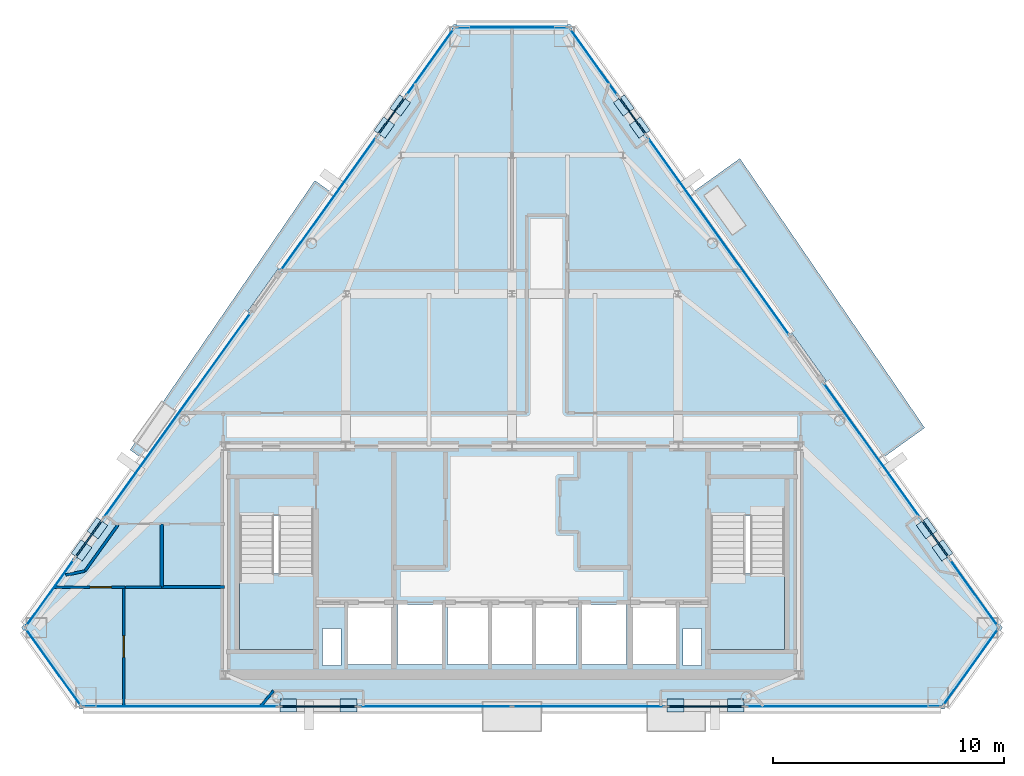
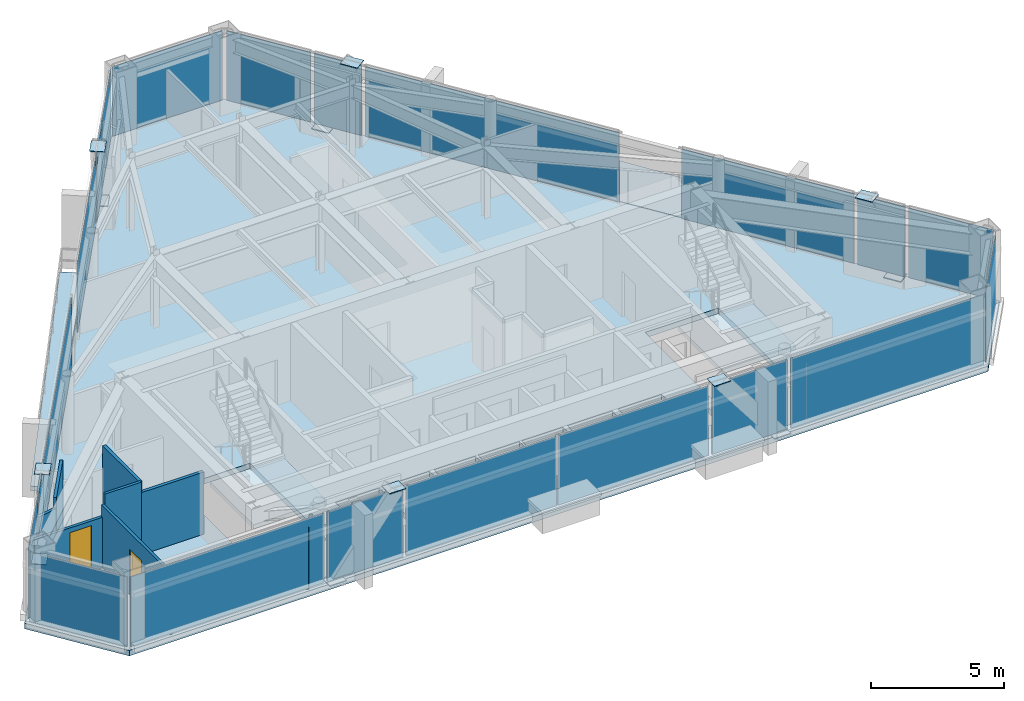
# One storey, part 7 of 12: 33 plates, 8 walls, 5 slabs, 2 doors, 2 openings, 22 elements without a shape of their own.
"""IFC4 building model written with IfcOpenShell, lengths in metres."""

from ifc_helpers import new_model, si_unit, direction, frame, frame_2d, origin, origin_2d, place, context, subcontext, project, spatial, polyline, rectangle, outline, extrude, source, transform, mapped, material, layer, layer_set, type_object, type_shapes, element, fill, aggregate, save


model = new_model("IFC4")

# Units and contexts
model_context = context("Model", 3, precision=1e-05, world=origin(), true_north=direction((0.0, 1.0)))
body_context = subcontext(model_context, "Body", "Model", "MODEL_VIEW")
ifc_project = project(units=[si_unit("LENGTHUNIT", "METRE"), si_unit("AREAUNIT", "SQUARE_METRE"), si_unit("VOLUMEUNIT", "CUBIC_METRE"), si_unit("PLANEANGLEUNIT", "RADIAN"), si_unit("MASSUNIT", "GRAM", prefix="KILO")], contexts=[model_context])

# Site, building, storey
site_placement = place(None, origin())
site = spatial("IfcSite", under=ifc_project, at=site_placement, CompositionType="ELEMENT")
building_placement = place(site_placement, origin())
building = spatial("IfcBuilding", under=site, at=building_placement, Name="Talgorran Terracotta Tower", CompositionType="ELEMENT")
storey_placement = place(building_placement, frame((0.0, 0.0, 252.60009765625)))
storey = spatial("IfcBuildingStorey", under=building, at=storey_placement, Name="L66", CompositionType="ELEMENT", Elevation=252.60009765625)

# Plates
ifc_material_1 = material(Name="Steel Grade 350 (350L0)", Category="steel")
ifc_layer_1 = layer(ifc_material_1, 0.031982421875, Name="PL_CAP_MN07")
ifc_layer_set_1 = layer_set([ifc_layer_1], Name="Steel Grade 350 (350L0)")
plate_type_1 = type_object("IfcPlateType", Name="PL_CAP_MN07", PredefinedType="USERDEFINED", material=ifc_layer_set_1)
for number, where, z_axis, x_axis, name in (
    (1, (-9.680908203125, -15.42333984375, -0.005859375), (0.0, 0.0, 1.0), (1.0, 0.0, 0.0), "L66 Diagonal Frame End Cap SWF Bot"),
    (2, (-7.074462890625, -15.42333984375, 3.31884765625), (0.0, 0.0, 1.0), (1.0, 0.0, 0.0), "L66 Diagonal Frame End Cap SWF Top"),
    (3, (9.680908203125, -15.42333984375, -0.005859375), (0.0, 0.0, 1.0), (-1.0, 0.0, 0.0), "L66 Diagonal Frame End Cap SEF Bot"),
    (4, (7.074462890625, -15.42333984375, 3.31884765625), (0.0, 0.0, 1.0), (-1.0, 0.0, 0.0), "L66 Diagonal Frame End Cap SEF Top"),
    (5, (18.630615234375, -8.708740234375, -0.005859375), (0.0, 0.0, 1.0), (-0.582264874145, 0.812999149039, 0.0), "L66 Diagonal Frame End Cap NEL Bot"),
    (6, (17.94287109375, -7.748291015625, 3.31884765625), (0.0, 0.0, 1.0), (-0.582264874145, 0.812999149039, 0.0), "L66 Diagonal Frame End Cap NEL Top"),
    (7, (4.840576171875, 10.548583984375, -0.005859375), (0.0, 0.0, 1.0), (0.582264874145, -0.812999149039, 0.0), "L66 Diagonal Frame End Cap NEU Bot"),
    (8, (5.5283203125, 9.58837890625, 3.31884765625), (0.0, 0.0, 1.0), (0.582264874145, -0.812999149039, 0.0), "L66 Diagonal Frame End Cap NEU Top"),
    (9, (-4.840576171875, 10.548583984375, -0.005859375), (0.0, 0.0, 1.0), (-0.582264874145, -0.812999149039, 0.0), "L66 Diagonal Frame End Cap NWU Bot"),
    (10, (-5.5283203125, 9.58837890625, 3.31884765625), (0.0, 0.0, 1.0), (-0.582264874145, -0.812999149039, 0.0), "L66 Diagonal Frame End Cap NWU Top"),
    (11, (-18.630615234375, -8.708740234375, -0.005859375), (0.0, 0.0, 1.0), (0.582264874145, 0.812999149039, 0.0), "L66 Diagonal Frame End Cap NWL Bot"),
    (12, (-17.94287109375, -7.748291015625, 3.31884765625), (0.0, 0.0, 1.0), (0.582264874145, 0.812999149039, 0.0), "L66 Diagonal Frame End Cap NWL Top"),
):
    element("IfcPlate", number, at=place(storey_placement, frame(where, z_axis=z_axis, x_axis=x_axis)), inside=storey, type_object=plate_type_1, Name=name, ObjectType="CAP PLATE", PredefinedType="USERDEFINED", context=body_context, shape_type="SweptSolid", body=[
        extrude(rectangle(XDim=0.719970703125, YDim=0.580078125, at=origin_2d()), origin(), (0.0, 0.0, 1.0), 0.031982421875),
    ])

# Slabs
ifc_material_2 = material(Name="Concrete C40/50", Category="concrete")
ifc_layer_2 = layer(ifc_material_2, 0.219970703125, Name="SL_BALCONY_220")
ifc_layer_set_2 = layer_set([ifc_layer_2], Name="Concrete C40/50")
slab_type_1 = type_object("IfcSlabType", Name="SL_BALCONY_220", PredefinedType="FLOOR", material=ifc_layer_set_2)
slab_1_placement = place(storey_placement, frame((0.0, 0.0, -0.22021484375)))
element("IfcSlab", 13, at=slab_1_placement, inside=storey, type_object=slab_type_1, Name="L66 Outdoor Wave Balcony BAL-NE", PredefinedType="FLOOR", context=body_context, shape_type="SweptSolid", body=[
    extrude(outline(polyline([(7.773193359375, 6.753662109375), (16.001220703125, -4.736083984375), (17.860595703125, -3.404541015625), (9.863037109375, 8.25), (7.773193359375, 6.753662109375)])), origin(), (0.0, 0.0, 1.0), 0.22021484375),
])
slab_2_placement = place(storey_placement, frame((0.0, 0.0, -0.22021484375)))
element("IfcSlab", 14, at=slab_2_placement, inside=storey, type_object=slab_type_1, Name="L66 Outdoor Wave Balcony BAL-NW", PredefinedType="FLOOR", context=body_context, shape_type="SweptSolid", body=[
    extrude(outline(polyline([(-16.001220703125, -4.736083984375), (-7.773193359375, 6.753662109375), (-8.53173828125, 7.296630859375), (-16.529296875, -4.35791015625), (-16.001220703125, -4.736083984375)])), origin(), (0.0, 0.0, 1.0), 0.22021484375),
])

# Stair, slab
stair_type = type_object("IfcStairType", Name="ST_FIRE_SCISSOR", PredefinedType="HALF_TURN_STAIR", material=ifc_material_2)
stair_1_placement = place(storey_placement, origin())
stair_1 = element("IfcStair", 15, at=stair_1_placement, inside=storey, type_object=stair_type, Name="L66 West Protected Fire Stair ST-01", PredefinedType="HALF_TURN_STAIR")
ifc_layer_3 = layer(ifc_material_2, 0.199951171875, Name="SL_LANDING_200")
ifc_layer_set_3 = layer_set([ifc_layer_3], Name="Concrete C40/50")
slab_type_2 = type_object("IfcSlabType", Name="SL_LANDING_200", PredefinedType="LANDING", material=ifc_layer_set_3)
slab_3_placement = place(storey_placement, frame((0.0, 0.0, 1.599853515625)))
slab_3 = element("IfcSlab", 16, at=slab_3_placement, type_object=slab_type_2, Name="ST-01 landing 1", PredefinedType="LANDING", context=body_context, shape_type="SweptSolid", body=[
    extrude(outline(polyline([(-11.800048828125, -9.719970703125), (-11.800048828125, -13.0), (-8.60009765625, -13.0), (-8.60009765625, -9.719970703125), (-11.800048828125, -9.719970703125)])), origin(), (0.0, 0.0, 1.0), 0.199951171875),
])
aggregate(stair_1, [slab_3])

stair_2_placement = place(storey_placement, origin())
stair_2 = element("IfcStair", 17, at=stair_2_placement, inside=storey, type_object=stair_type, Name="L66 East Protected Fire Stair ST-02", PredefinedType="HALF_TURN_STAIR")
slab_4_placement = place(storey_placement, frame((0.0, 0.0, 1.599853515625)))
slab_4 = element("IfcSlab", 18, at=slab_4_placement, type_object=slab_type_2, Name="ST-02 landing 1", PredefinedType="LANDING", context=body_context, shape_type="SweptSolid", body=[
    extrude(outline(polyline([(8.60009765625, -9.719970703125), (8.60009765625, -13.0), (11.800048828125, -13.0), (11.800048828125, -9.719970703125), (8.60009765625, -9.719970703125)])), origin(), (0.0, 0.0, 1.0), 0.199951171875),
])
aggregate(stair_2, [slab_4])

# Slab
ifc_layer_4 = layer(ifc_material_2, 0.2548828125, Name="SL_TOWER_235")
ifc_layer_set_4 = layer_set([ifc_layer_4], Name="Concrete C40/50")
slab_type_3 = type_object("IfcSlabType", Name="SL_TOWER_235", PredefinedType="FLOOR", material=ifc_layer_set_4)
slab_5_placement = place(storey_placement, frame((0.0, 0.0, -0.255126953125)))
element("IfcSlab", 19, at=slab_5_placement, inside=storey, type_object=slab_type_3, Name="Storey L66 Structural Floor Slab", PredefinedType="FLOOR", context=body_context, shape_type="SweptSolid", body=[
    extrude(outline(polyline([(-21.224609375, -12.056640625), (-18.69921875, -15.583251953125), (18.69921875, -15.583251953125), (21.224609375, -12.056640625), (2.525390625, 14.056640625), (-2.525390625, 14.056640625), (-21.224609375, -12.056640625)]), holes=[polyline([(-11.800048828125, -7.199951171875), (-11.800048828125, -13.0), (-8.60009765625, -13.0), (-8.60009765625, -7.199951171875), (-11.800048828125, -7.199951171875)]), polyline([(8.60009765625, -7.199951171875), (8.60009765625, -13.0), (11.800048828125, -13.0), (11.800048828125, -7.199951171875), (8.60009765625, -7.199951171875)]), polyline([(-7.10009765625, -13.64990234375), (-5.199951171875, -13.64990234375), (-5.199951171875, -11.050048828125), (-7.10009765625, -11.050048828125), (-7.10009765625, -13.64990234375)]), polyline([(5.199951171875, -13.64990234375), (7.10009765625, -13.64990234375), (7.10009765625, -11.050048828125), (5.199951171875, -11.050048828125), (5.199951171875, -13.64990234375)]), polyline([(3.0, -13.64990234375), (4.949951171875, -13.64990234375), (4.949951171875, -11.050048828125), (3.0, -11.050048828125), (3.0, -13.64990234375)]), polyline([(-4.949951171875, -13.64990234375), (-3.0, -13.64990234375), (-3.0, -11.050048828125), (-4.949951171875, -11.050048828125), (-4.949951171875, -13.64990234375)]), polyline([(-2.800048828125, -13.64990234375), (-1.0, -13.64990234375), (-1.0, -11.050048828125), (-2.800048828125, -11.050048828125), (-2.800048828125, -13.64990234375)]), polyline([(-0.89990234375, -13.64990234375), (0.89990234375, -13.64990234375), (0.89990234375, -11.050048828125), (-0.89990234375, -11.050048828125), (-0.89990234375, -13.64990234375)]), polyline([(1.0, -13.64990234375), (2.800048828125, -13.64990234375), (2.800048828125, -11.050048828125), (1.0, -11.050048828125), (1.0, -13.64990234375)]), polyline([(-8.199951171875, -13.699951171875), (-7.39990234375, -13.699951171875), (-7.39990234375, -12.10009765625), (-8.199951171875, -12.10009765625), (-8.199951171875, -13.699951171875)]), polyline([(7.39990234375, -13.699951171875), (8.199951171875, -13.699951171875), (8.199951171875, -12.10009765625), (7.39990234375, -12.10009765625), (7.39990234375, -13.699951171875)])]), origin(), (0.0, 0.0, 1.0), 0.255126953125),
])

# Curtain wall, plate
ifc_material_3 = material(Name="High-Wind Unitised Glazing", Category="glass")
ifc_layer_5 = layer(ifc_material_3, 0.2099609375, Name="CW_SYS3_RES_HIGH")
ifc_layer_set_5 = layer_set([ifc_layer_5], Name="High-Wind Unitised Glazing")
curtain_wall_type = type_object("IfcCurtainWallType", Name="CW_SYS3_RES_HIGH", PredefinedType="NOTDEFINED", material=ifc_layer_set_5)
curtain_wall_1_placement = place(storey_placement, origin())
curtain_wall_1 = element("IfcCurtainWall", 20, at=curtain_wall_1_placement, inside=storey, type_object=curtain_wall_type, Name="CW-L66-F0", PredefinedType="NOTDEFINED")
ifc_material_4 = material(Name="High-Wind Acoustic Vision Glass", Category="glass")
ifc_layer_6 = layer(ifc_material_4, 0.031982421875, Name="PLT_VISION_32")
ifc_layer_set_6 = layer_set([ifc_layer_6], Name="High-Wind Acoustic Vision Glass")
plate_type_2 = type_object("IfcPlateType", Name="PLT_VISION_32", PredefinedType="CURTAIN_PANEL", material=ifc_layer_set_6)
shared_shape_1 = source(origin(), body_context, "Body", "SweptSolid", [
    extrude(rectangle(XDim=4.050048828125, YDim=0.031982421875, at=origin_2d()), origin(), (0.0, 0.0, 1.0), 3.205078125),
])
plate_1_placement = place(storey_placement, frame((-19.857421875, -13.760009765625, 0.06982421875), z_axis=(0.0, 0.0, 1.0), x_axis=(0.582219838862, -0.813031401137, 0.0)))
plate_1 = element("IfcPlate", 21, at=plate_1_placement, type_object=plate_type_2, Name="CW-L66-0 panel 1.1", PredefinedType="CURTAIN_PANEL", context=body_context, shape_type="MappedRepresentation", body=[
    mapped(shared_shape_1, transform((0.0, 0.0, 0.0), scale=1.0)),
])
aggregate(curtain_wall_1, [plate_1])

curtain_wall_2_placement = place(storey_placement, origin())
curtain_wall_2 = element("IfcCurtainWall", 22, at=curtain_wall_2_placement, inside=storey, type_object=curtain_wall_type, Name="CW-L66-F2", PredefinedType="NOTDEFINED")
plate_2_placement = place(storey_placement, frame((19.857421875, -13.760009765625, 0.06982421875), z_axis=(0.0, 0.0, 1.0), x_axis=(0.582219838862, 0.813031401137, 0.0)))
plate_2 = element("IfcPlate", 23, at=plate_2_placement, type_object=plate_type_2, Name="CW-L66-2 panel 1.1", PredefinedType="CURTAIN_PANEL", context=body_context, shape_type="MappedRepresentation", body=[
    mapped(shared_shape_1, transform((0.0, 0.0, 0.0), scale=1.0)),
])
aggregate(curtain_wall_2, [plate_2])

curtain_wall_3_placement = place(storey_placement, origin())
curtain_wall_3 = element("IfcCurtainWall", 24, at=curtain_wall_3_placement, inside=storey, type_object=curtain_wall_type, Name="CW-L66-F1B", PredefinedType="NOTDEFINED")
ifc_material_5 = material(Name="Terracotta Insulated Spandrel", Category="masonry")
ifc_layer_7 = layer(ifc_material_5, 0.06494140625, Name="PLT_SPANDREL_TERRA")
ifc_layer_set_7 = layer_set([ifc_layer_7], Name="Terracotta Insulated Spandrel")
plate_type_3 = type_object("IfcPlateType", Name="PLT_SPANDREL_TERRA", PredefinedType="SHEET", material=ifc_layer_set_7)
shared_shape_2 = source(origin(), body_context, "Body", "SweptSolid", [
    extrude(rectangle(XDim=3.280029296875, YDim=0.06494140625, at=origin_2d()), origin(), (0.0, 0.0, 1.0), 3.205078125),
])
plate_3_placement = place(storey_placement, frame((-8.377685546875, -15.46337890625, 0.06982421875), z_axis=(0.0, 0.0, 1.0), x_axis=(1.0, 0.0, 0.0)))
plate_3 = element("IfcPlate", 25, at=plate_3_placement, type_object=plate_type_3, Name="CW-L66-1B panel 1.1", PredefinedType="CURTAIN_PANEL", context=body_context, shape_type="MappedRepresentation", body=[
    mapped(shared_shape_2, transform((0.0, 0.0, 0.0), scale=1.0)),
])
aggregate(curtain_wall_3, [plate_3])

curtain_wall_4_placement = place(storey_placement, origin())
curtain_wall_4 = element("IfcCurtainWall", 26, at=curtain_wall_4_placement, inside=storey, type_object=curtain_wall_type, Name="CW-L66-F1D", PredefinedType="NOTDEFINED")
plate_4_placement = place(storey_placement, frame((8.377685546875, -15.46337890625, 0.06982421875), z_axis=(0.0, 0.0, 1.0), x_axis=(1.0, 0.0, 0.0)))
plate_4 = element("IfcPlate", 27, at=plate_4_placement, type_object=plate_type_3, Name="CW-L66-1D panel 1.1", PredefinedType="CURTAIN_PANEL", context=body_context, shape_type="MappedRepresentation", body=[
    mapped(shared_shape_2, transform((0.0, 0.0, 0.0), scale=1.0)),
])
aggregate(curtain_wall_4, [plate_4])

curtain_wall_5_placement = place(storey_placement, origin())
curtain_wall_5 = element("IfcCurtainWall", 28, at=curtain_wall_5_placement, inside=storey, type_object=curtain_wall_type, Name="CW-L66-F40B", PredefinedType="NOTDEFINED")
shared_shape_3 = source(origin(), body_context, "Body", "SweptSolid", [
    extrude(rectangle(XDim=1.95458984375, YDim=0.06494140625, at=origin_2d()), origin(), (0.0, 0.0, 1.0), 3.205078125),
])
type_shapes(plate_type_3, [shared_shape_2, shared_shape_3])
plate_5_placement = place(storey_placement, frame((18.319091796875, -8.205322265625, 0.06982421875), z_axis=(0.0, 0.0, 1.0), x_axis=(-0.582231340285, 0.813023164731, 0.0)))
plate_5 = element("IfcPlate", 29, at=plate_5_placement, type_object=plate_type_3, Name="CW-L66-40B panel 1.1", PredefinedType="CURTAIN_PANEL", context=body_context, shape_type="MappedRepresentation", body=[
    mapped(shared_shape_3, transform((0.0, 0.0, 0.0), scale=1.0)),
])
aggregate(curtain_wall_5, [plate_5])

curtain_wall_6_placement = place(storey_placement, origin())
curtain_wall_6 = element("IfcCurtainWall", 30, at=curtain_wall_6_placement, inside=storey, type_object=curtain_wall_type, Name="CW-L66-F41B", PredefinedType="NOTDEFINED")
plate_6_placement = place(storey_placement, frame((5.216796875, 10.091796875, 0.06982421875), z_axis=(0.0, 0.0, 1.0), x_axis=(-0.582231340285, 0.813023164731, 0.0)))
plate_6 = element("IfcPlate", 31, at=plate_6_placement, type_object=plate_type_3, Name="CW-L66-41B panel 1.1", PredefinedType="CURTAIN_PANEL", context=body_context, shape_type="MappedRepresentation", body=[
    mapped(shared_shape_3, transform((0.0, 0.0, 0.0), scale=1.0)),
])
aggregate(curtain_wall_6, [plate_6])

curtain_wall_7_placement = place(storey_placement, origin())
curtain_wall_7 = element("IfcCurtainWall", 32, at=curtain_wall_7_placement, inside=storey, type_object=curtain_wall_type, Name="CW-L66-F60B", PredefinedType="NOTDEFINED")
plate_7_placement = place(storey_placement, frame((-5.216796875, 10.091796875, 0.06982421875), z_axis=(0.0, 0.0, 1.0), x_axis=(-0.582199780234, -0.813045764946, 0.0)))
plate_7 = element("IfcPlate", 33, at=plate_7_placement, type_object=plate_type_3, Name="CW-L66-60B panel 1.1", PredefinedType="CURTAIN_PANEL", context=body_context, shape_type="MappedRepresentation", body=[
    mapped(shared_shape_3, transform((0.0, 0.0, 0.0), scale=1.0)),
])
aggregate(curtain_wall_7, [plate_7])

curtain_wall_8_placement = place(storey_placement, origin())
curtain_wall_8 = element("IfcCurtainWall", 34, at=curtain_wall_8_placement, inside=storey, type_object=curtain_wall_type, Name="CW-L66-F61B", PredefinedType="NOTDEFINED")
plate_8_placement = place(storey_placement, frame((-18.319091796875, -8.205322265625, 0.06982421875), z_axis=(0.0, 0.0, 1.0), x_axis=(-0.582231340285, -0.813023164731, 0.0)))
plate_8 = element("IfcPlate", 35, at=plate_8_placement, type_object=plate_type_3, Name="CW-L66-61B panel 1.1", PredefinedType="CURTAIN_PANEL", context=body_context, shape_type="MappedRepresentation", body=[
    mapped(shared_shape_3, transform((0.0, 0.0, 0.0), scale=1.0)),
])
aggregate(curtain_wall_8, [plate_8])

curtain_wall_9_placement = place(storey_placement, origin())
curtain_wall_9 = element("IfcCurtainWall", 36, at=curtain_wall_9_placement, inside=storey, type_object=curtain_wall_type, Name="CW-L66-F4", PredefinedType="NOTDEFINED")
shared_shape_4 = source(origin(), body_context, "Body", "SweptSolid", [
    extrude(rectangle(XDim=4.787109375, YDim=0.031982421875, at=origin_2d()), origin(), (0.0, 0.0, 1.0), 3.205078125),
])
plate_9_placement = place(storey_placement, frame((0.0, 13.936767578125, 0.06982421875), z_axis=(0.0, 0.0, 1.0), x_axis=(-1.0, 0.0, 0.0)))
plate_9 = element("IfcPlate", 37, at=plate_9_placement, type_object=plate_type_2, Name="CW-L66-4 panel 1.1", PredefinedType="CURTAIN_PANEL", context=body_context, shape_type="MappedRepresentation", body=[
    mapped(shared_shape_4, transform((0.0, 0.0, 0.0), scale=1.0)),
])
aggregate(curtain_wall_9, [plate_9])

curtain_wall_10_placement = place(storey_placement, origin())
curtain_wall_10 = element("IfcCurtainWall", 38, at=curtain_wall_10_placement, inside=storey, type_object=curtain_wall_type, Name="CW-L66-F1", PredefinedType="NOTDEFINED")
shared_shape_5 = source(origin(), body_context, "Body", "SweptSolid", [
    extrude(rectangle(XDim=8.39990234375, YDim=0.031982421875, at=origin_2d()), origin(), (0.0, 0.0, 1.0), 3.205078125),
])
plate_10_placement = place(storey_placement, frame((-14.36767578125, -15.46337890625, 0.06982421875), z_axis=(0.0, 0.0, 1.0), x_axis=(1.0, 0.0, 0.0)))
plate_10 = element("IfcPlate", 39, at=plate_10_placement, type_object=plate_type_2, Name="CW-L66-1 panel 1.1", PredefinedType="CURTAIN_PANEL", context=body_context, shape_type="MappedRepresentation", body=[
    mapped(shared_shape_5, transform((0.0, 0.0, 0.0), scale=1.0)),
])
aggregate(curtain_wall_10, [plate_10])

curtain_wall_11_placement = place(storey_placement, origin())
curtain_wall_11 = element("IfcCurtainWall", 40, at=curtain_wall_11_placement, inside=storey, type_object=curtain_wall_type, Name="CW-L66-F1E", PredefinedType="NOTDEFINED")
plate_11_placement = place(storey_placement, frame((14.36767578125, -15.46337890625, 0.06982421875), z_axis=(0.0, 0.0, 1.0), x_axis=(1.0, 0.0, 0.0)))
plate_11 = element("IfcPlate", 41, at=plate_11_placement, type_object=plate_type_2, Name="CW-L66-1E panel 1.1", PredefinedType="CURTAIN_PANEL", context=body_context, shape_type="MappedRepresentation", body=[
    mapped(shared_shape_5, transform((0.0, 0.0, 0.0), scale=1.0)),
])
aggregate(curtain_wall_11, [plate_11])

# Curtain wall, plates
curtain_wall_12_placement = place(storey_placement, origin())
curtain_wall_12 = element("IfcCurtainWall", 42, at=curtain_wall_12_placement, inside=storey, type_object=curtain_wall_type, Name="CW-L66-F1C", PredefinedType="NOTDEFINED")
shared_shape_6 = source(origin(), body_context, "Body", "SweptSolid", [
    extrude(rectangle(XDim=6.552734375, YDim=0.031982421875, at=origin_2d()), origin(), (0.0, 0.0, 1.0), 3.205078125),
])
plate_12_placement = place(storey_placement, frame((-3.311279296875, -15.46337890625, 0.06982421875), z_axis=(0.0, 0.0, 1.0), x_axis=(1.0, 0.0, 0.0)))
plate_12 = element("IfcPlate", 43, at=plate_12_placement, type_object=plate_type_2, Name="CW-L66-1C panel 1.1", PredefinedType="CURTAIN_PANEL", context=body_context, shape_type="MappedRepresentation", body=[
    mapped(shared_shape_6, transform((0.0, 0.0, 0.0), scale=1.0)),
])
plate_13_placement = place(storey_placement, frame((3.311279296875, -15.46337890625, 0.06982421875), z_axis=(0.0, 0.0, 1.0), x_axis=(1.0, 0.0, 0.0)))
plate_13 = element("IfcPlate", 44, at=plate_13_placement, type_object=plate_type_2, Name="CW-L66-1C panel 2.1", PredefinedType="CURTAIN_PANEL", context=body_context, shape_type="MappedRepresentation", body=[
    mapped(shared_shape_6, transform((0.0, 0.0, 0.0), scale=1.0)),
])
aggregate(curtain_wall_12, [plate_12, plate_13])

# Curtain wall, plate
curtain_wall_13_placement = place(storey_placement, origin())
curtain_wall_13 = element("IfcCurtainWall", 45, at=curtain_wall_13_placement, inside=storey, type_object=curtain_wall_type, Name="CW-L66-F40", PredefinedType="NOTDEFINED")
shared_shape_7 = source(origin(), body_context, "Body", "SweptSolid", [
    extrude(rectangle(XDim=3.499755859375, YDim=0.031982421875, at=origin_2d()), origin(), (0.0, 0.0, 1.0), 3.205078125),
])
plate_14_placement = place(storey_placement, frame((19.994140625, -10.54443359375, 0.06982421875), z_axis=(0.0, 0.0, 1.0), x_axis=(-0.582204576326, 0.813042330574, 0.0)))
plate_14 = element("IfcPlate", 46, at=plate_14_placement, type_object=plate_type_2, Name="CW-L66-40 panel 1.1", PredefinedType="CURTAIN_PANEL", context=body_context, shape_type="MappedRepresentation", body=[
    mapped(shared_shape_7, transform((0.0, 0.0, 0.0), scale=1.0)),
])
aggregate(curtain_wall_13, [plate_14])

curtain_wall_14_placement = place(storey_placement, origin())
curtain_wall_14 = element("IfcCurtainWall", 47, at=curtain_wall_14_placement, inside=storey, type_object=curtain_wall_type, Name="CW-L66-F61C", PredefinedType="NOTDEFINED")
plate_15_placement = place(storey_placement, frame((-19.994140625, -10.54443359375, 0.06982421875), z_axis=(0.0, 0.0, 1.0), x_axis=(-0.582204576326, -0.813042330574, 0.0)))
plate_15 = element("IfcPlate", 48, at=plate_15_placement, type_object=plate_type_2, Name="CW-L66-61C panel 1.1", PredefinedType="CURTAIN_PANEL", context=body_context, shape_type="MappedRepresentation", body=[
    mapped(shared_shape_7, transform((0.0, 0.0, 0.0), scale=1.0)),
])
aggregate(curtain_wall_14, [plate_15])

curtain_wall_15_placement = place(storey_placement, origin())
curtain_wall_15 = element("IfcCurtainWall", 49, at=curtain_wall_15_placement, inside=storey, type_object=curtain_wall_type, Name="CW-L66-F40C", PredefinedType="NOTDEFINED")
shared_shape_8 = source(origin(), body_context, "Body", "SweptSolid", [
    extrude(rectangle(XDim=7.1416015625, YDim=0.031982421875, at=origin_2d()), origin(), (0.0, 0.0, 1.0), 3.205078125),
])
plate_16_placement = place(storey_placement, frame((15.583984375, -4.385498046875, 0.06982421875), z_axis=(0.0, 0.0, 1.0), x_axis=(-0.582203002313, 0.813043457693, 0.0)))
plate_16 = element("IfcPlate", 50, at=plate_16_placement, type_object=plate_type_2, Name="CW-L66-40C panel 1.1", PredefinedType="CURTAIN_PANEL", context=body_context, shape_type="MappedRepresentation", body=[
    mapped(shared_shape_8, transform((0.0, 0.0, 0.0), scale=1.0)),
])
aggregate(curtain_wall_15, [plate_16])

curtain_wall_16_placement = place(storey_placement, origin())
curtain_wall_16 = element("IfcCurtainWall", 51, at=curtain_wall_16_placement, inside=storey, type_object=curtain_wall_type, Name="CW-L66-F41", PredefinedType="NOTDEFINED")
shared_shape_9 = source(origin(), body_context, "Body", "SweptSolid", [
    extrude(rectangle(XDim=10.50830078125, YDim=0.031982421875, at=origin_2d()), origin(), (0.0, 0.0, 1.0), 3.205078125),
])
plate_17_placement = place(storey_placement, frame((8.93212890625, 4.903564453125, 0.06982421875), z_axis=(0.0, 0.0, 1.0), x_axis=(-0.582206088809, 0.813041247511, 0.0)))
plate_17 = element("IfcPlate", 52, at=plate_17_placement, type_object=plate_type_2, Name="CW-L66-41 panel 1.1", PredefinedType="CURTAIN_PANEL", context=body_context, shape_type="MappedRepresentation", body=[
    mapped(shared_shape_9, transform((0.0, 0.0, 0.0), scale=1.0)),
])
aggregate(curtain_wall_16, [plate_17])

curtain_wall_17_placement = place(storey_placement, origin())
curtain_wall_17 = element("IfcCurtainWall", 53, at=curtain_wall_17_placement, inside=storey, type_object=curtain_wall_type, Name="CW-L66-F41C", PredefinedType="NOTDEFINED")
shared_shape_10 = source(origin(), body_context, "Body", "SweptSolid", [
    extrude(rectangle(XDim=3.49169921875, YDim=0.031982421875, at=origin_2d()), origin(), (0.0, 0.0, 1.0), 3.205078125),
])
plate_18_placement = place(storey_placement, frame((3.544189453125, 12.427734375, 0.06982421875), z_axis=(0.0, 0.0, 1.0), x_axis=(-0.582196300008, 0.813048257028, 0.0)))
plate_18 = element("IfcPlate", 54, at=plate_18_placement, type_object=plate_type_2, Name="CW-L66-41C panel 1.1", PredefinedType="CURTAIN_PANEL", context=body_context, shape_type="MappedRepresentation", body=[
    mapped(shared_shape_10, transform((0.0, 0.0, 0.0), scale=1.0)),
])
aggregate(curtain_wall_17, [plate_18])

curtain_wall_18_placement = place(storey_placement, origin())
curtain_wall_18 = element("IfcCurtainWall", 55, at=curtain_wall_18_placement, inside=storey, type_object=curtain_wall_type, Name="CW-L66-F60", PredefinedType="NOTDEFINED")
plate_19_placement = place(storey_placement, frame((-3.544189453125, 12.427734375, 0.06982421875), z_axis=(0.0, 0.0, 1.0), x_axis=(-0.582196300008, -0.813048257028, 0.0)))
plate_19 = element("IfcPlate", 56, at=plate_19_placement, type_object=plate_type_2, Name="CW-L66-60 panel 1.1", PredefinedType="CURTAIN_PANEL", context=body_context, shape_type="MappedRepresentation", body=[
    mapped(shared_shape_10, transform((0.0, 0.0, 0.0), scale=1.0)),
])
aggregate(curtain_wall_18, [plate_19])

curtain_wall_19_placement = place(storey_placement, origin())
curtain_wall_19 = element("IfcCurtainWall", 57, at=curtain_wall_19_placement, inside=storey, type_object=curtain_wall_type, Name="CW-L66-F60C", PredefinedType="NOTDEFINED")
shared_shape_11 = source(origin(), body_context, "Body", "SweptSolid", [
    extrude(rectangle(XDim=7.07568359375, YDim=0.031982421875, at=origin_2d()), origin(), (0.0, 0.0, 1.0), 3.205078125),
])
plate_20_placement = place(storey_placement, frame((-7.932861328125, 6.298828125, 0.06982421875), z_axis=(0.0, 0.0, 1.0), x_axis=(-0.582210497086, -0.813038090795, 0.0)))
plate_20 = element("IfcPlate", 58, at=plate_20_placement, type_object=plate_type_2, Name="CW-L66-60C panel 1.1", PredefinedType="CURTAIN_PANEL", context=body_context, shape_type="MappedRepresentation", body=[
    mapped(shared_shape_11, transform((0.0, 0.0, 0.0), scale=1.0)),
])
aggregate(curtain_wall_19, [plate_20])

curtain_wall_20_placement = place(storey_placement, origin())
curtain_wall_20 = element("IfcCurtainWall", 59, at=curtain_wall_20_placement, inside=storey, type_object=curtain_wall_type, Name="CW-L66-F61", PredefinedType="NOTDEFINED")
shared_shape_12 = source(origin(), body_context, "Body", "SweptSolid", [
    extrude(rectangle(XDim=10.874267578125, YDim=0.031982421875, at=origin_2d()), origin(), (0.0, 0.0, 1.0), 3.205078125),
])
type_shapes(plate_type_2, [shared_shape_1, shared_shape_4, shared_shape_5, shared_shape_6, shared_shape_7, shared_shape_8, shared_shape_9, shared_shape_10, shared_shape_11, shared_shape_12])
plate_21_placement = place(storey_placement, frame((-14.497314453125, -2.8681640625, 0.06982421875), z_axis=(0.0, 0.0, 1.0), x_axis=(-0.582205687097, -0.81304153517, 0.0)))
plate_21 = element("IfcPlate", 60, at=plate_21_placement, type_object=plate_type_2, Name="CW-L66-61 panel 1.1", PredefinedType="CURTAIN_PANEL", context=body_context, shape_type="MappedRepresentation", body=[
    mapped(shared_shape_12, transform((0.0, 0.0, 0.0), scale=1.0)),
])
aggregate(curtain_wall_20, [plate_21])

# Wall, opening, door
ifc_material_6 = material(Name="Insulated Steel Stud Plasterboard", Category="steel")
ifc_layer_8 = layer(ifc_material_6, 0.1201171875, Name="WT_PART_120")
ifc_layer_set_8 = layer_set([ifc_layer_8], Name="Insulated Steel Stud Plasterboard")
wall_type_1 = type_object("IfcWallType", Name="WT_PART_120", PredefinedType="PARTITIONING", material=ifc_layer_set_8)
wall_1_placement = place(storey_placement, frame((-16.800048828125, -15.46337890625, 0.0), z_axis=(0.0, 0.0, 1.0), x_axis=(0.0, 1.0, 0.0)))
wall_1 = element("IfcWall", 61, at=wall_1_placement, inside=storey, type_object=wall_type_1, Name="WL-L66-W-L66-R16", PredefinedType="PARTITIONING", context=body_context, shape_type="SweptSolid", body=[
    extrude(rectangle(XDim=5.163330078125, YDim=0.1201171875, at=frame_2d((2.58154296875, 0.0))), origin(), (0.0, 0.0, 1.0), 2.86279296875),
])
opening_1_placement = place(wall_1_placement, frame((2.131591796875, 0.0, 0.0)))
opening_1 = element("IfcOpeningElement", 62, at=opening_1_placement, cuts=wall_1, Name="Opening DR-L66-R05", PredefinedType="OPENING", context=body_context, shape_type="SweptSolid", body=[
    extrude(rectangle(XDim=0.925921875, YDim=2.10409765625, at=frame_2d((0.4599609375, 1.052001953125))), frame((0.0, 0.070068359375, 0.0), z_axis=(0.0, -1.0, 0.0), x_axis=(1.0, 0.0, 0.0)), (0.0, 0.0, 1.0), 0.14013671875),
])
ifc_material_7 = material(Name="Solid-Core Painted Timber", Category="wood")
door_type = type_object("IfcDoorType", Name="DT_INT_920", OperationType="NOTDEFINED", PredefinedType="DOOR", material=ifc_material_7)
door_1_placement = place(opening_1_placement, origin())
door_1 = element("IfcDoor", 63, at=door_1_placement, inside=storey, type_object=door_type, Name="DR-L66-R05", OperationType="SINGLE_SWING_LEFT", OverallHeight=2.10009765625, OverallWidth=0.919921875, PredefinedType="DOOR", context=body_context, shape_type="SweptSolid", body=[
    extrude(rectangle(XDim=0.919921875, YDim=2.10009765625, at=frame_2d((0.4599609375, 1.050048828125))), frame((0.0, 0.02490234375, 0.0), z_axis=(0.0, -1.0, 0.0), x_axis=(1.0, 0.0, 0.0)), (0.0, 0.0, 1.0), 0.050048828125),
])
fill(opening_1, door_1)

wall_2_placement = place(storey_placement, frame((-19.819091796875, -10.300048828125, 0.0), z_axis=(0.0, 0.0, 1.0), x_axis=(1.0, 0.0, 0.0)))
wall_2 = element("IfcWall", 64, at=wall_2_placement, inside=storey, type_object=wall_type_1, Name="WL-L66-W-L66-R14", PredefinedType="PARTITIONING", context=body_context, shape_type="SweptSolid", body=[
    extrude(rectangle(XDim=3.0791015625, YDim=0.1201171875, at=frame_2d((1.53955078125, 0.0))), origin(), (0.0, 0.0, 1.0), 2.31982421875),
])
opening_2_placement = place(wall_2_placement, frame((1.564208984375, 0.0, 0.0)))
opening_2 = element("IfcOpeningElement", 65, at=opening_2_placement, cuts=wall_2, Name="Opening DR-L66-R04", PredefinedType="OPENING", context=body_context, shape_type="SweptSolid", body=[
    extrude(rectangle(XDim=0.925921875, YDim=2.10409765625, at=frame_2d((0.4599609375, 1.052001953125))), frame((0.0, 0.070068359375, 0.0), z_axis=(0.0, -1.0, 0.0), x_axis=(1.0, 0.0, 0.0)), (0.0, 0.0, 1.0), 0.14013671875),
])
door_2_placement = place(opening_2_placement, origin())
door_2 = element("IfcDoor", 66, at=door_2_placement, inside=storey, type_object=door_type, Name="DR-L66-R04", OperationType="SINGLE_SWING_RIGHT", OverallHeight=2.10009765625, OverallWidth=0.919921875, PredefinedType="DOOR", context=body_context, shape_type="SweptSolid", body=[
    extrude(rectangle(XDim=0.919921875, YDim=2.10009765625, at=frame_2d((0.4599609375, 1.050048828125))), frame((0.0, 0.02490234375, 0.0), z_axis=(0.0, -1.0, 0.0), x_axis=(1.0, 0.0, 0.0)), (0.0, 0.0, 1.0), 0.050048828125),
])
fill(opening_2, door_2)

# Walls
wall_3_placement = place(storey_placement, frame((-17.0498046875, -7.6005859375, 0.0), z_axis=(0.0, 0.0, 1.0), x_axis=(-0.582222927872, -0.813029189058, 0.0)))
element("IfcWall", 67, at=wall_3_placement, inside=storey, type_object=wall_type_1, Name="WL-L66-BW-L66-08", PredefinedType="PARTITIONING", context=body_context, shape_type="SweptSolid", body=[
    extrude(rectangle(XDim=2.46142578125, YDim=0.1201171875, at=frame_2d((1.230712890625, 0.0))), origin(), (0.0, 0.0, 1.0), 3.344970703125),
])
wall_4_placement = place(storey_placement, frame((-16.738037109375, -10.300048828125, 0.0), z_axis=(0.0, 0.0, 1.0), x_axis=(1.0, 0.0, 0.0)))
element("IfcWall", 68, at=wall_4_placement, inside=storey, type_object=wall_type_1, Name="WL-L66-W-L66-R15", PredefinedType="PARTITIONING", context=body_context, shape_type="SweptSolid", body=[
    extrude(rectangle(XDim=1.578125, YDim=0.1201171875, at=frame_2d((0.7890625, 0.0))), origin(), (0.0, 0.0, 1.0), 3.344970703125),
])
wall_5_placement = place(storey_placement, frame((-10.873291015625, -15.453369140625, 0.0), z_axis=(0.0, 0.0, 1.0), x_axis=(0.636111126851, 0.771597456123, 0.0)))
element("IfcWall", 69, at=wall_5_placement, inside=storey, type_object=wall_type_1, Name="WL-L66-BW-L66-03", PredefinedType="PARTITIONING", context=body_context, shape_type="SweptSolid", body=[
    extrude(rectangle(XDim=0.86865234375, YDim=0.1201171875, at=frame_2d((0.434326171875, 0.0))), origin(), (0.0, 0.0, 1.0), 2.86279296875),
])
wall_6_placement = place(storey_placement, frame((-18.48291015625, -9.601806640625, 0.0), z_axis=(0.0, 0.0, 1.0), x_axis=(-0.978473583793, -0.206372105235, 0.0)))
element("IfcWall", 70, at=wall_6_placement, inside=storey, type_object=wall_type_1, Name="WL-L66-BW-L66-09", PredefinedType="PARTITIONING", context=body_context, shape_type="SweptSolid", body=[
    extrude(rectangle(XDim=0.8505859375, YDim=0.1201171875, at=frame_2d((0.42529296875, 0.0))), origin(), (0.0, 0.0, 1.0), 2.86279296875),
])
ifc_material_8 = material(Name="Moisture-Resistant Stud Wall")
ifc_layer_9 = layer(ifc_material_8, 0.135009765625, Name="WT_PART_135")
ifc_layer_set_9 = layer_set([ifc_layer_9], Name="Moisture-Resistant Stud Wall")
wall_type_2 = type_object("IfcWallType", Name="WT_PART_135", PredefinedType="PARTITIONING", material=ifc_layer_set_9)
wall_7_placement = place(storey_placement, frame((-15.159912109375, -10.300048828125, 0.0), z_axis=(0.0, 0.0, 1.0), x_axis=(0.0, 1.0, 0.0)))
element("IfcWall", 71, at=wall_7_placement, inside=storey, type_object=wall_type_2, Name="WL-L66-W-L66-R12", PredefinedType="PARTITIONING", context=body_context, shape_type="SweptSolid", body=[
    extrude(rectangle(XDim=2.739990234375, YDim=0.135009765625, at=frame_2d((1.3701171875, 0.0))), origin(), (0.0, 0.0, 1.0), 3.344970703125),
])
wall_8_placement = place(storey_placement, frame((-15.159912109375, -10.300048828125, 0.0), z_axis=(0.0, 0.0, 1.0), x_axis=(1.0, 0.0, 0.0)))
element("IfcWall", 72, at=wall_8_placement, inside=storey, type_object=wall_type_2, Name="WL-L66-W-L66-R13", PredefinedType="PARTITIONING", context=body_context, shape_type="SweptSolid", body=[
    extrude(rectangle(XDim=2.719970703125, YDim=0.135009765625, at=frame_2d((1.35986328125, 0.0))), origin(), (0.0, 0.0, 1.0), 2.86279296875),
])

save(model, "model.ifc")
